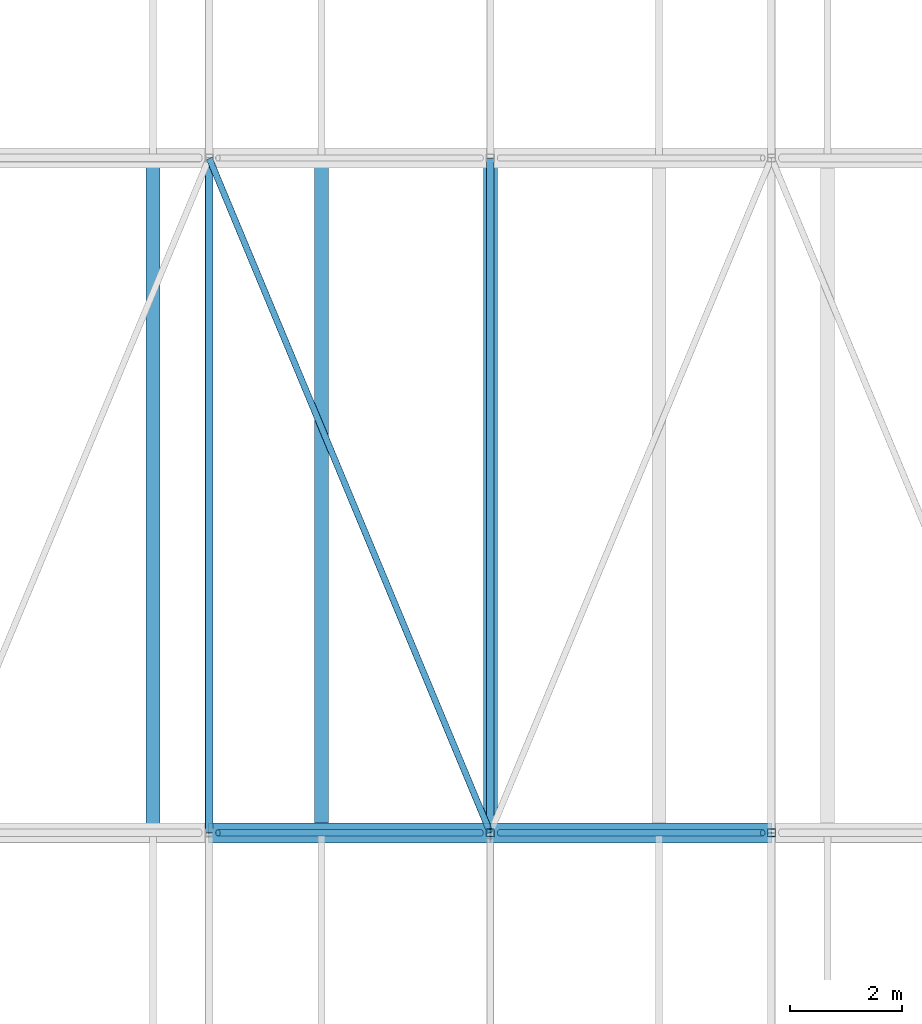
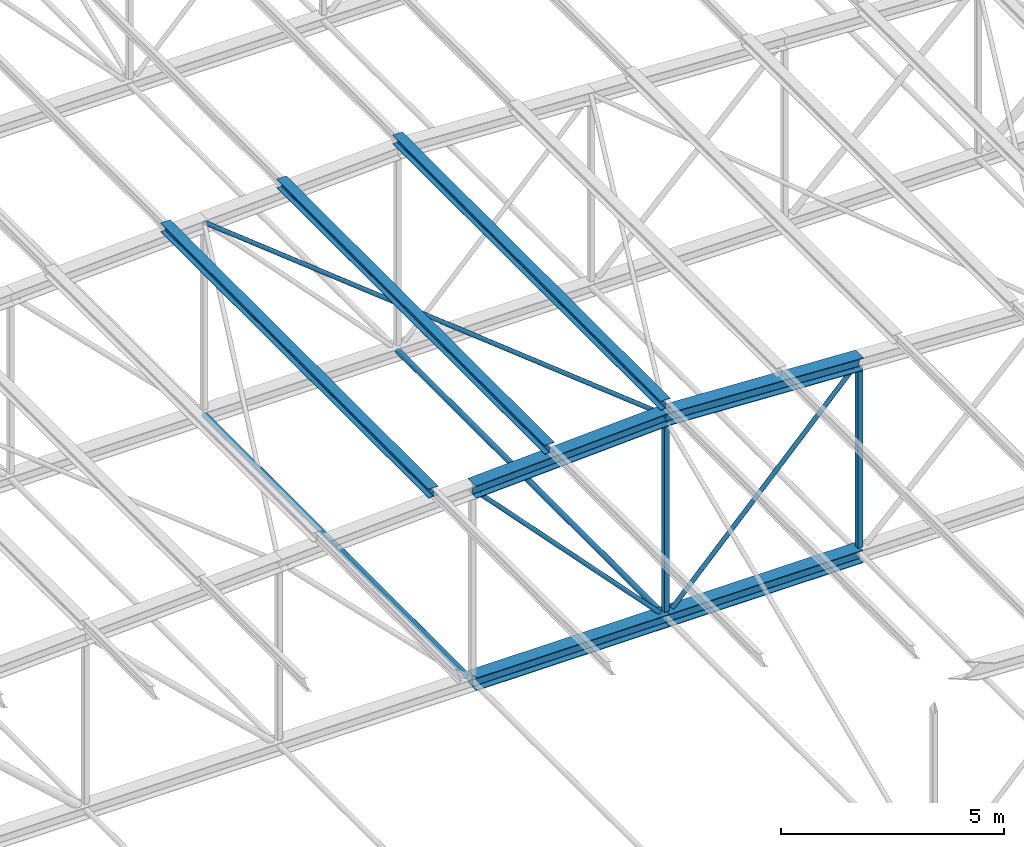
# One storey, part 35 of 156: 14 members.
"""IFC4 building model written with IfcOpenShell, lengths in metres."""

from ifc_helpers import new_model, si_unit, direction, frame, origin, origin_2d, place, context, subcontext, project, spatial, hollow_rectangle, hollow_circle, i_section, extrude, material, material_profile, profile_set, type_object, element, save


model = new_model("IFC4")

# Units and contexts
model_context = context("Model", 3, precision=1e-05, world=origin(), true_north=direction((0.0, 1.0)))
body_context = subcontext(model_context, "Body", "Model", "MODEL_VIEW")
ifc_project = project(units=[si_unit("LENGTHUNIT", "METRE"), si_unit("AREAUNIT", "SQUARE_METRE"), si_unit("VOLUMEUNIT", "CUBIC_METRE"), si_unit("PLANEANGLEUNIT", "RADIAN"), si_unit("MASSUNIT", "GRAM", prefix="KILO")], contexts=[model_context])

# Site, building, storey
site_placement = place(None, origin())
site = spatial("IfcSite", under=ifc_project, at=site_placement, CompositionType="ELEMENT")
building_placement = place(site_placement, origin())
building = spatial("IfcBuilding", under=site, at=building_placement, Name="Lilac Gate Convention Centre", CompositionType="ELEMENT")
storey_placement = place(building_placement, frame((0.0, 0.0, 17.0)))
storey = spatial("IfcBuildingStorey", under=building, at=storey_placement, Name="L03", CompositionType="ELEMENT", Elevation=17.0)

# Members
ifc_material = material(Name="Steel Q355B", Category="steel")
ifc_material_profile_1 = material_profile(ifc_material, hollow_circle(Radius=0.06982421875, WallThickness=0.0048828125, at=origin_2d()), Name="CHS139.7x5")
ifc_profile_set_1 = profile_set([ifc_material_profile_1], Name="Steel Q355B")
member_type_1 = type_object("IfcMemberType", Name="Bottom chord tie CHS139.7x5", PredefinedType="STRUT", material=ifc_profile_set_1)
for number, where, z_axis, x_axis, name in (
    (1, (55.0, 78.009521484375, 0.0), (0.0, 1.0, 0.0), (-1.0, 0.0, 0.0), "ST1 tie bay 5 node 6"),
    (2, (60.0, 78.009521484375, 0.0), (0.0, 1.0, 0.0), (-1.0, 0.0, 0.0), "ST1 tie bay 5 node 7"),
):
    element("IfcMember", number, at=place(storey_placement, frame(where, z_axis=z_axis, x_axis=x_axis)), inside=storey, type_object=member_type_1, Name=name, PredefinedType="STRUT", context=body_context, shape_type="SweptSolid", body=[
        extrude(hollow_circle(Radius=0.06982421875, WallThickness=0.0048828125, at=origin_2d()), origin(), (0.0, 0.0, 1.0), 11.98095703125),
    ])
ifc_material_profile_2 = material_profile(ifc_material, hollow_circle(Radius=0.05712890625, WallThickness=0.0048828125, at=origin_2d()), Name="CHS114.3x5")
ifc_profile_set_2 = profile_set([ifc_material_profile_2], Name="Steel Q355B")
member_type_2 = type_object("IfcMemberType", Name="Roof plane bracing CHS114.3x5", PredefinedType="BRACE", material=ifc_profile_set_2)
member_1_placement = place(storey_placement, frame((55.00244140625, 89.993896484375, 5.25), z_axis=(0.384557486582, -0.922900376645, 0.019246669905), x_axis=(0.923071361129, 0.384628733019, 0.0)))
element("IfcMember", 3, at=member_1_placement, inside=storey, type_object=member_type_2, Name="BR1 plan bracing bay 5 panel 6", PredefinedType="BRACE", context=body_context, shape_type="SweptSolid", body=[
    extrude(hollow_circle(Radius=0.05712890625, WallThickness=0.0048828125, at=origin_2d()), origin(), (0.0, 0.0, 1.0), 12.9892578125),
])
ifc_material_profile_3 = material_profile(ifc_material, i_section(OverallWidth=0.25, OverallDepth=0.25, WebThickness=0.009033203125, FlangeThickness=0.013916015625, FilletRadius=0.012939453125, at=origin_2d()), Name="HW250x250x9x14")
ifc_profile_set_3 = profile_set([ifc_material_profile_3], Name="Steel Q355B")
member_type_3 = type_object("IfcMemberType", Name="Roof purlin HW250x250x9x14", PredefinedType="PURLIN", material=ifc_profile_set_3)
for number, where, z_axis, x_axis, name in (
    (4, (54.0, 78.0, 5.500244140625), (0.0, 1.0, 0.0), (-1.0, 0.0, 0.0), "PU1 purlin bay 5 line 9"),
    (5, (57.0, 78.0, 5.650146484375), (0.0, 1.0, 0.0), (-1.0, 0.0, 0.0), "PU1 purlin bay 5 line 10"),
    (6, (60.0, 78.0, 5.80029296875), (0.0, 1.0, 0.0), (-1.0, 0.0, 0.0), "PU1 purlin bay 5 line 11"),
):
    element("IfcMember", number, at=place(storey_placement, frame(where, z_axis=z_axis, x_axis=x_axis)), inside=storey, type_object=member_type_3, Name=name, PredefinedType="PURLIN", context=body_context, shape_type="SweptSolid", body=[
        extrude(i_section(OverallWidth=0.25, OverallDepth=0.25, WebThickness=0.009033203125, FlangeThickness=0.013916015625, FilletRadius=0.012939453125, at=origin_2d()), origin(), (0.0, 0.0, 1.0), 12.0),
    ])
ifc_material_profile_4 = material_profile(ifc_material, i_section(OverallWidth=0.35693359375, OverallDepth=0.35009765625, WebThickness=0.01904296875, FlangeThickness=0.01904296875, FilletRadius=0.012939453125, at=origin_2d()), Name="HW350x357x19x19")
ifc_profile_set_4 = profile_set([ifc_material_profile_4], Name="Steel Q355B")
member_type_4 = type_object("IfcMemberType", Name="Truss bottom chord HW350x357x19x19", PredefinedType="CHORD", material=ifc_profile_set_4)
for number, where, z_axis, x_axis, name in (
    (7, (55.0, 78.0, 0.0), (1.0, 0.0, 0.0), (0.0, 1.0, 0.0), "TB3 truss 5 bottom chord 6"),
    (8, (60.0, 78.0, 0.0), (1.0, 0.0, 0.0), (0.0, 1.0, 0.0), "TB3 truss 5 bottom chord 7"),
):
    element("IfcMember", number, at=place(storey_placement, frame(where, z_axis=z_axis, x_axis=x_axis)), inside=storey, type_object=member_type_4, Name=name, PredefinedType="CHORD", context=body_context, shape_type="SweptSolid", body=[
        extrude(i_section(OverallWidth=0.35693359375, OverallDepth=0.35009765625, WebThickness=0.01904296875, FlangeThickness=0.01904296875, FilletRadius=0.012939453125, at=origin_2d()), origin(), (0.0, 0.0, 1.0), 5.0),
    ])
ifc_material_profile_5 = material_profile(ifc_material, hollow_circle(Radius=0.05712890625, WallThickness=0.0048828125, at=origin_2d()), Name="CHS114.3x5")
ifc_profile_set_5 = profile_set([ifc_material_profile_5], Name="Steel Q355B")
member_type_5 = type_object("IfcMemberType", Name="Truss diagonal CHS114.3x5", PredefinedType="BRACE", material=ifc_profile_set_5)
for number, where, z_axis, x_axis, name in (
    (9, (55.156494140625, 78.0, 5.085693359375), (0.6896515765, 0.0, -0.724141355697), (0.0, 1.0, 0.0), "TW6 truss 5 diagonal 6"),
    (10, (64.843505859375, 78.0, 5.085693359375), (-0.6896515765, 0.0, -0.724141355697), (0.0, -1.0, 0.0), "TW6 truss 5 diagonal 7"),
):
    element("IfcMember", number, at=place(storey_placement, frame(where, z_axis=z_axis, x_axis=x_axis)), inside=storey, type_object=member_type_5, Name=name, PredefinedType="BRACE", context=body_context, shape_type="SweptSolid", body=[
        extrude(hollow_circle(Radius=0.05712890625, WallThickness=0.0048828125, at=origin_2d()), origin(), (0.0, 0.0, 1.0), 6.78125),
    ])
ifc_material_profile_6 = material_profile(ifc_material, i_section(OverallWidth=0.35693359375, OverallDepth=0.35009765625, WebThickness=0.01904296875, FlangeThickness=0.01904296875, FilletRadius=0.012939453125, at=origin_2d()), Name="HW350x357x19x19")
ifc_profile_set_6 = profile_set([ifc_material_profile_6], Name="Steel Q355B")
member_type_6 = type_object("IfcMemberType", Name="Truss top chord HW350x357x19x19", PredefinedType="CHORD", material=ifc_profile_set_6)
for number, where, z_axis, x_axis, name in (
    (11, (55.0, 78.0, 5.25), (0.998752338878, 0.0, 0.049937616944), (0.0, 1.0, 0.0), "TT3 truss 5 top chord 6"),
    (12, (60.0, 78.0, 5.5), (0.998752338878, 0.0, -0.049937616944), (0.0, 1.0, 0.0), "TT3 truss 5 top chord 7"),
):
    element("IfcMember", number, at=place(storey_placement, frame(where, z_axis=z_axis, x_axis=x_axis)), inside=storey, type_object=member_type_6, Name=name, PredefinedType="CHORD", context=body_context, shape_type="SweptSolid", body=[
        extrude(i_section(OverallWidth=0.35693359375, OverallDepth=0.35009765625, WebThickness=0.01904296875, FlangeThickness=0.01904296875, FilletRadius=0.012939453125, at=origin_2d()), origin(), (0.0, 0.0, 1.0), 5.00634765625),
    ])
ifc_material_profile_7 = material_profile(ifc_material, hollow_rectangle(XDim=0.139892578125, YDim=0.139892578125, WallThickness=0.0048828125, InnerFilletRadius=0.0048828125, OuterFilletRadius=0.010009765625, at=origin_2d()), Name="SHS140x140x5")
ifc_profile_set_7 = profile_set([ifc_material_profile_7], Name="Steel Q355B")
member_type_7 = type_object("IfcMemberType", Name="Truss vertical SHS140x140x5", PredefinedType="STRUT", material=ifc_profile_set_7)
member_2_placement = place(storey_placement, frame((60.0, 78.0, 0.175048828125), z_axis=(0.0, 0.0, 1.0), x_axis=(1.0, 0.0, 0.0)))
element("IfcMember", 13, at=member_2_placement, inside=storey, type_object=member_type_7, Name="TV4 truss 5 vertical 7", PredefinedType="STRUT", context=body_context, shape_type="SweptSolid", body=[
    extrude(hollow_rectangle(XDim=0.139892578125, YDim=0.139892578125, WallThickness=0.0048828125, InnerFilletRadius=0.0048828125, OuterFilletRadius=0.010009765625, at=origin_2d()), origin(), (0.0, 0.0, 1.0), 5.149658203125),
])
member_3_placement = place(storey_placement, frame((65.0, 78.0, 0.175048828125), z_axis=(0.0, 0.0, 1.0), x_axis=(1.0, 0.0, 0.0)))
element("IfcMember", 14, at=member_3_placement, inside=storey, type_object=member_type_7, Name="TV4 truss 5 vertical 8", PredefinedType="STRUT", context=body_context, shape_type="SweptSolid", body=[
    extrude(hollow_rectangle(XDim=0.139892578125, YDim=0.139892578125, WallThickness=0.0048828125, InnerFilletRadius=0.0048828125, OuterFilletRadius=0.010009765625, at=origin_2d()), origin(), (0.0, 0.0, 1.0), 4.899658203125),
])

save(model, "model.ifc")
